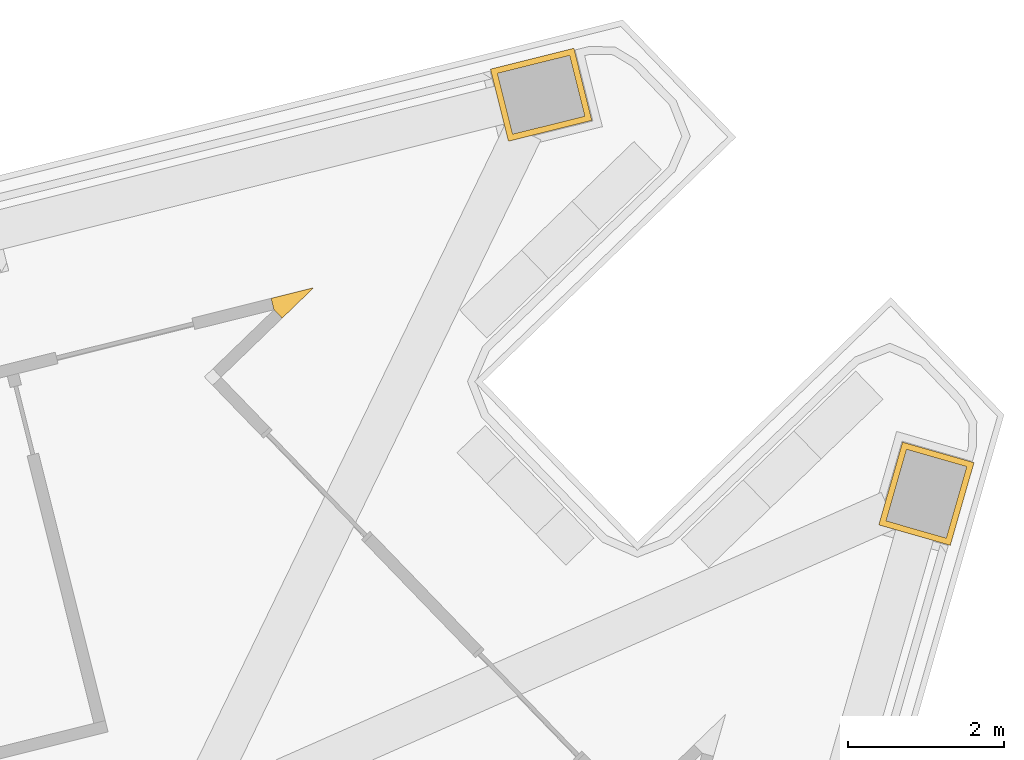
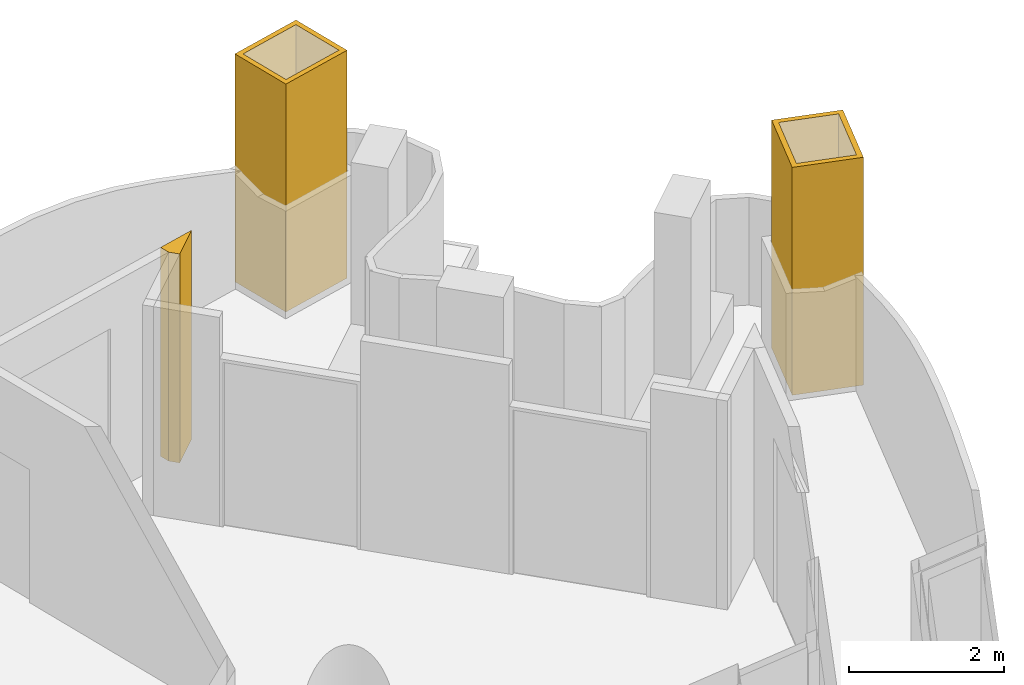
# One storey, part 17 of 18: 3 coverings.
"""IFC4 building model written with IfcOpenShell, lengths in metres."""

import ifcopenshell
import ifcopenshell.guid

model = None  # the IFC model being written
_history = None  # IfcOwnerHistory: only IFC2X3 demands one
_inside = {}  # id of a spatial element -> (the spatial element, [elements in it])
_under = {}  # id of a project, library or spatial element -> (it, [spatial elements below it])
_declared = {}  # id of a project -> (the project, [libraries it declares])
_typed = {}  # id of a type object -> (the type object, [elements of that type])
_made_of = {}  # id of a material, layer set ... -> (it, [elements and type objects made of it])


def new_model(schema):
    """Start an empty IFC model of exactly this schema.

    Asked for "IFC4X3", IfcOpenShell would pick the latest addendum, in which some entities
    have other attributes; the version numbers below select the first issue.
    IFC2X3 requires an IfcOwnerHistory on every rooted entity: one is made here for all.
    """
    global model, _history
    if schema == "IFC4X3":
        model = ifcopenshell.file(schema_version=(4, 3, 0, 0))
    else:
        model = ifcopenshell.file(schema=schema)
    _inside.clear()
    _under.clear()
    _declared.clear()
    _typed.clear()
    _made_of.clear()
    _history = None
    if model.schema == "IFC2X3":
        org = make("IfcOrganization", Name="unknown")
        user = make(
            "IfcPersonAndOrganization",
            ThePerson=make("IfcPerson", FamilyName="unknown"),
            TheOrganization=org,
        )
        app = make(
            "IfcApplication",
            ApplicationDeveloper=org,
            Version="unknown",
            ApplicationFullName="unknown",
            ApplicationIdentifier="unknown",
        )
        _history = make(
            "IfcOwnerHistory",
            OwningUser=user,
            OwningApplication=app,
            ChangeAction="ADDED",
            CreationDate=0,
        )
    return model


def make(cls, **values):
    """One entity of the class cls with the attributes given. An attribute that is None is left unset."""
    return model.create_entity(
        cls, **{name: value for name, value in values.items() if value is not None}
    )


def rooted(cls, **values):
    """An entity with a GlobalId (a new one), such as an element, a storey or a relation."""
    return make(cls, GlobalId=ifcopenshell.guid.new(), OwnerHistory=_history, **values)


def si_unit(unit_type, name, prefix=None):
    """IfcSIUnit, for example si_unit("LENGTHUNIT", "METRE", prefix="MILLI")."""
    return make("IfcSIUnit", UnitType=unit_type, Prefix=prefix, Name=name)


def assignment(units):
    """IfcUnitAssignment: the units of a project."""
    return None if units is None else make("IfcUnitAssignment", Units=units)


def point(xyz):
    """IfcCartesianPoint."""
    return None if xyz is None else make("IfcCartesianPoint", Coordinates=xyz)


def direction(xyz):
    """IfcDirection."""
    return None if xyz is None else make("IfcDirection", DirectionRatios=xyz)


def frame(location, z_axis=None, x_axis=None):
    """IfcAxis2Placement3D, a coordinate frame: its origin and axes. An axis left out is left unset."""
    return make(
        "IfcAxis2Placement3D",
        Location=point(location),
        Axis=direction(z_axis),
        RefDirection=direction(x_axis),
    )


def origin():
    """The frame at (0, 0, 0) with its axes left unset."""
    return frame((0.0, 0.0, 0.0))


def place(relative_to, where):
    """IfcLocalPlacement: puts the frame where relative to a parent placement (None: the world)."""
    return make(
        "IfcLocalPlacement", PlacementRelTo=relative_to, RelativePlacement=where
    )


def context(
    kind, dimensions, precision=None, world=None, true_north=None, identifier=None
):
    """IfcGeometricRepresentationContext, for example the 3D "Model" context."""
    return make(
        "IfcGeometricRepresentationContext",
        ContextIdentifier=identifier,
        ContextType=kind,
        CoordinateSpaceDimension=dimensions,
        Precision=precision,
        WorldCoordinateSystem=world,
        TrueNorth=true_north,
    )


def subcontext(parent, identifier, kind, view, scale=None):
    """IfcGeometricRepresentationSubContext, for example "Body" below "Model"."""
    return make(
        "IfcGeometricRepresentationSubContext",
        ContextIdentifier=identifier,
        ContextType=kind,
        ParentContext=parent,
        TargetScale=scale,
        TargetView=view,
    )


def project(units=None, contexts=None):
    """IfcProject with its units and contexts."""
    return rooted(
        "IfcProject",
        Name="project",
        RepresentationContexts=contexts,
        UnitsInContext=assignment(units),
    )


def spatial(cls, under=None, at=None, **own):
    """A site, building, storey or space (cls), placed at a placement, below another one or the project."""
    s = rooted(cls, ObjectPlacement=at, **own)
    if under is not None:
        _under.setdefault(under.id(), (under, []))[1].append(s)
    return s


def polyline(points):
    """IfcPolyline through the points."""
    return make("IfcPolyline", Points=[point(p) for p in points])


def outline(outer, holes=None, kind="AREA"):
    """IfcArbitraryClosedProfileDef: a profile drawn as a closed curve; with holes, ...WithVoids."""
    if holes is None:
        return make("IfcArbitraryClosedProfileDef", ProfileType=kind, OuterCurve=outer)
    return make(
        "IfcArbitraryProfileDefWithVoids",
        ProfileType=kind,
        OuterCurve=outer,
        InnerCurves=holes,
    )


def extrude(swept, where, along, depth):
    """IfcExtrudedAreaSolid: the profile swept, set in the frame where, extruded along a direction by depth."""
    return make(
        "IfcExtrudedAreaSolid",
        SweptArea=swept,
        Position=where,
        ExtrudedDirection=direction(along),
        Depth=depth,
    )


def shape(context_of_items, identifier, shape_type, items):
    """IfcShapeRepresentation: the items that make up one representation, for example the "Body"."""
    return make(
        "IfcShapeRepresentation",
        ContextOfItems=context_of_items,
        RepresentationIdentifier=identifier,
        RepresentationType=shape_type,
        Items=items,
    )


def material(Name=None, Category=None):
    """IfcMaterial."""
    return make("IfcMaterial", Name=Name, Category=Category)


def layer(
    of_material, thickness, ventilated=None, Name=None, Category=None, Priority=None
):
    """IfcMaterialLayer: one layer of a wall or slab, of a material (None: an air gap)."""
    return make(
        "IfcMaterialLayer",
        Material=of_material,
        LayerThickness=thickness,
        IsVentilated=ventilated,
        Name=Name,
        Category=Category,
        Priority=Priority,
    )


def layer_set(layers, Name=None):
    """IfcMaterialLayerSet."""
    return make("IfcMaterialLayerSet", MaterialLayers=layers, LayerSetName=Name)


def made_of(thing, what):
    """Note that an element or type object is made of a material, layer set ...; save() writes the relation."""
    if what is not None:
        _made_of.setdefault(what.id(), (what, []))[1].append(thing)
    return thing


def type_object(cls, material=None, **own):
    """A type object (cls), such as IfcWallType, which elements share."""
    return made_of(rooted(cls, **own), material)


def element(
    cls,
    number,
    at=None,
    inside=None,
    cuts=None,
    type_object=None,
    material=None,
    context=None,
    identifier="Body",
    shape_type=None,
    held_by="IfcProductDefinitionShape",
    body=None,
    shapes=None,
    **own,
):
    """One element of the class cls, such as IfcWall. Its Tag is "e" and its number.

    at: its placement. inside: the storey or other place that contains it. cuts: it is an
    opening in that element (IfcRelVoidsElement). A single representation is given by context,
    identifier, shape_type and body (its items); several are given by shapes. held_by: the class
    of the entity that holds the representations. save() writes the other relations.
    """
    e = rooted(cls, Tag="e%d" % number, ObjectPlacement=at, **own)
    if body is not None:
        shapes = [shape(context, identifier, shape_type, body)]
    if shapes is not None:
        e.Representation = make(held_by, Representations=shapes)
    if inside is not None:
        _inside.setdefault(inside.id(), (inside, []))[1].append(e)
    if cuts is not None:
        rooted(
            "IfcRelVoidsElement", RelatingBuildingElement=cuts, RelatedOpeningElement=e
        )
    if type_object is not None:
        _typed.setdefault(type_object.id(), (type_object, []))[1].append(e)
    return made_of(e, material)


def aggregate(whole, parts):
    """IfcRelAggregates: a whole, such as a stair, and the parts it consists of."""
    return rooted("IfcRelAggregates", RelatingObject=whole, RelatedObjects=parts)


def save(model, path):
    """Write the relations noted so far, then the file.

    IfcRelAggregates (storeys below a building ...), IfcRelContainedInSpatialStructure (elements
    in a storey), IfcRelDefinesByType, IfcRelAssociatesMaterial and IfcRelDeclares: one each for
    every whole, place, type object, material and project.
    """
    for whole, parts in _under.values():
        aggregate(whole, parts)
    for where, things in _inside.values():
        rooted(
            "IfcRelContainedInSpatialStructure",
            RelatedElements=things,
            RelatingStructure=where,
        )
    for kind, things in _typed.values():
        rooted("IfcRelDefinesByType", RelatedObjects=things, RelatingType=kind)
    for what, things in _made_of.values():
        rooted("IfcRelAssociatesMaterial", RelatedObjects=things, RelatingMaterial=what)
    for by, libraries in _declared.values():
        rooted("IfcRelDeclares", RelatingContext=by, RelatedDefinitions=libraries)
    model.write(path)


model = new_model("IFC4")

# Units and contexts
model_context = context("Model", 3, precision=1e-05, world=origin(), true_north=direction((0.0, 1.0)))
body_context = subcontext(model_context, "Body", "Model", "MODEL_VIEW")
ifc_project = project(units=[si_unit("LENGTHUNIT", "METRE"), si_unit("AREAUNIT", "SQUARE_METRE"), si_unit("VOLUMEUNIT", "CUBIC_METRE"), si_unit("PLANEANGLEUNIT", "RADIAN"), si_unit("MASSUNIT", "GRAM", prefix="KILO")], contexts=[model_context])

# Site, building, storey
site_placement = place(None, origin())
site = spatial("IfcSite", under=ifc_project, at=site_placement, CompositionType="ELEMENT")
building_placement = place(site_placement, origin())
building = spatial("IfcBuilding", under=site, at=building_placement, Name="Trine Commons Tower", CompositionType="ELEMENT")
storey_placement = place(building_placement, frame((0.0, 0.0, 94.5)))
storey = spatial("IfcBuildingStorey", under=building, at=storey_placement, Name="L23", CompositionType="ELEMENT", Elevation=94.5)

# Coverings
ifc_material_1 = material(Name="Aluminium-framed insulated wall panel", Category="aluminium")
ifc_layer_1 = layer(ifc_material_1, 0.14990234375)
ifc_layer_set_1 = layer_set([ifc_layer_1], Name="Aluminium-framed insulated wall panel")
covering_type_1 = type_object("IfcCoveringType", Name="Glazing corner post, aluminium", PredefinedType="CLADDING", material=ifc_layer_set_1)
covering_1_placement = place(storey_placement, origin())
element("IfcCovering", 1, at=covering_1_placement, inside=storey, type_object=covering_type_1, Name="Glazing corner post 3-05", PredefinedType="CLADDING", context=body_context, shape_type="SweptSolid", body=[
    extrude(outline(polyline([(98.252197265625, 85.394775390625), (98.65478515625, 85.78369140625), (98.11181640625, 85.648193359375), (98.14794921875, 85.502685546875), (98.252197265625, 85.394775390625)])), origin(), (0.0, 0.0, 1.0), 3.300048828125),
])
ifc_material_2 = material(Name="Limestone, honed", Category="masonry")
ifc_layer_2 = layer(ifc_material_2, 0.074951171875)
ifc_layer_set_2 = layer_set([ifc_layer_2], Name="Limestone, honed")
covering_type_2 = type_object("IfcCoveringType", Name="Limestone column cladding 75", PredefinedType="CLADDING", material=ifc_layer_set_2)
covering_2_placement = place(storey_placement, origin())
element("IfcCovering", 2, at=covering_2_placement, inside=storey, type_object=covering_type_2, Name="Limestone pier cladding 3-16", PredefinedType="CLADDING", context=body_context, shape_type="SweptSolid", body=[
    extrude(outline(polyline([(102.211181640625, 87.922607421875), (101.9814453125, 88.84423828125), (100.9140625, 88.578125), (101.14404296875, 87.656494140625), (102.211181640625, 87.922607421875)]), holes=[polyline([(102.120361328125, 87.97705078125), (101.9267578125, 88.75341796875), (101.0048828125, 88.5234375), (101.198486328125, 87.747314453125), (102.120361328125, 87.97705078125)])]), origin(), (0.0, 0.0, 1.0), 3.60009765625),
])
covering_3_placement = place(storey_placement, origin())
element("IfcCovering", 3, at=covering_3_placement, inside=storey, type_object=covering_type_2, Name="Limestone pier cladding 3-17", PredefinedType="CLADDING", context=body_context, shape_type="SweptSolid", body=[
    extrude(outline(polyline([(107.095458984375, 83.548583984375), (106.18212890625, 83.810546875), (105.87890625, 82.753173828125), (106.792236328125, 82.4912109375), (107.095458984375, 83.548583984375)]), holes=[polyline([(107.002685546875, 83.497314453125), (106.233642578125, 83.7177734375), (105.9716796875, 82.8046875), (106.74072265625, 82.583984375), (107.002685546875, 83.497314453125)])]), origin(), (0.0, 0.0, 1.0), 3.60009765625),
])

save(model, "model.ifc")
